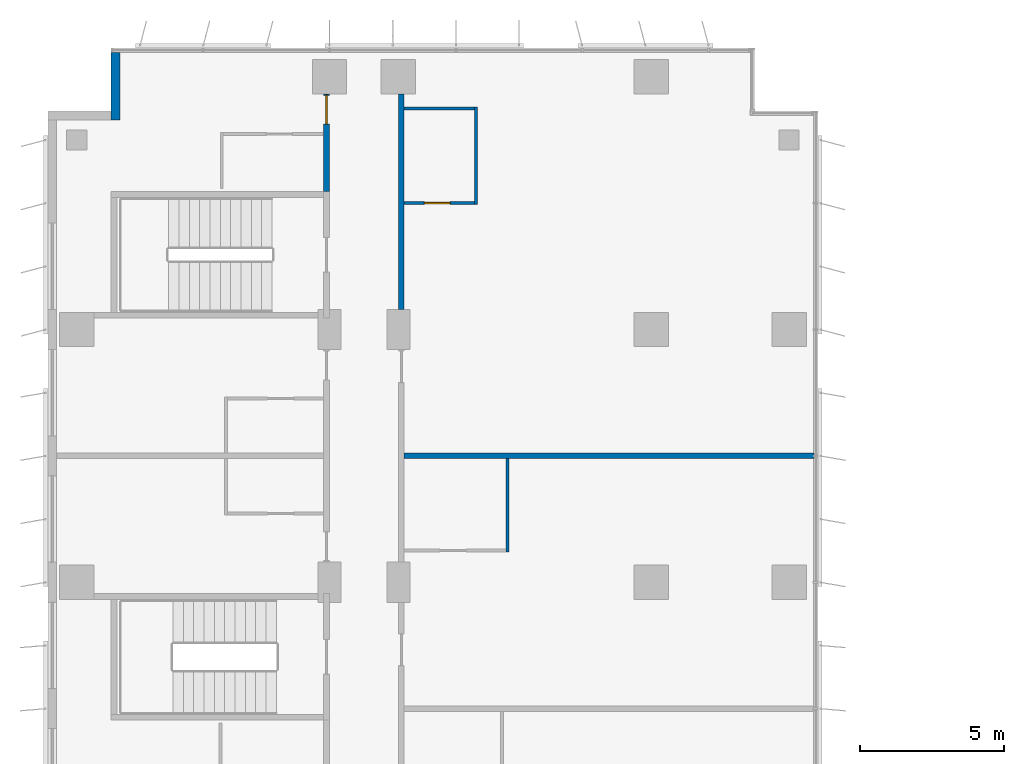
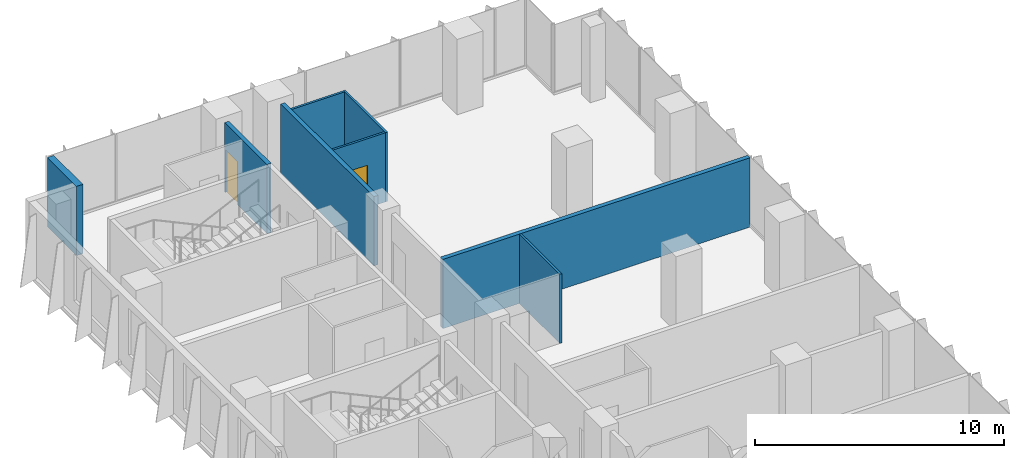
# One storey, part 18 of 23: 8 walls, 2 doors, 2 openings.
"""IFC4 building model written with IfcOpenShell, lengths in metres."""

import ifcopenshell
import ifcopenshell.guid

model = None  # the IFC model being written
_history = None  # IfcOwnerHistory: only IFC2X3 demands one
_inside = {}  # id of a spatial element -> (the spatial element, [elements in it])
_under = {}  # id of a project, library or spatial element -> (it, [spatial elements below it])
_declared = {}  # id of a project -> (the project, [libraries it declares])
_typed = {}  # id of a type object -> (the type object, [elements of that type])
_made_of = {}  # id of a material, layer set ... -> (it, [elements and type objects made of it])


def new_model(schema):
    """Start an empty IFC model of exactly this schema.

    Asked for "IFC4X3", IfcOpenShell would pick the latest addendum, in which some entities
    have other attributes; the version numbers below select the first issue.
    IFC2X3 requires an IfcOwnerHistory on every rooted entity: one is made here for all.
    """
    global model, _history
    if schema == "IFC4X3":
        model = ifcopenshell.file(schema_version=(4, 3, 0, 0))
    else:
        model = ifcopenshell.file(schema=schema)
    _inside.clear()
    _under.clear()
    _declared.clear()
    _typed.clear()
    _made_of.clear()
    _history = None
    if model.schema == "IFC2X3":
        org = make("IfcOrganization", Name="unknown")
        user = make(
            "IfcPersonAndOrganization",
            ThePerson=make("IfcPerson", FamilyName="unknown"),
            TheOrganization=org,
        )
        app = make(
            "IfcApplication",
            ApplicationDeveloper=org,
            Version="unknown",
            ApplicationFullName="unknown",
            ApplicationIdentifier="unknown",
        )
        _history = make(
            "IfcOwnerHistory",
            OwningUser=user,
            OwningApplication=app,
            ChangeAction="ADDED",
            CreationDate=0,
        )
    return model


def make(cls, **values):
    """One entity of the class cls with the attributes given. An attribute that is None is left unset."""
    return model.create_entity(
        cls, **{name: value for name, value in values.items() if value is not None}
    )


def rooted(cls, **values):
    """An entity with a GlobalId (a new one), such as an element, a storey or a relation."""
    return make(cls, GlobalId=ifcopenshell.guid.new(), OwnerHistory=_history, **values)


def si_unit(unit_type, name, prefix=None):
    """IfcSIUnit, for example si_unit("LENGTHUNIT", "METRE", prefix="MILLI")."""
    return make("IfcSIUnit", UnitType=unit_type, Prefix=prefix, Name=name)


def assignment(units):
    """IfcUnitAssignment: the units of a project."""
    return None if units is None else make("IfcUnitAssignment", Units=units)


def point(xyz):
    """IfcCartesianPoint."""
    return None if xyz is None else make("IfcCartesianPoint", Coordinates=xyz)


def direction(xyz):
    """IfcDirection."""
    return None if xyz is None else make("IfcDirection", DirectionRatios=xyz)


def frame(location, z_axis=None, x_axis=None):
    """IfcAxis2Placement3D, a coordinate frame: its origin and axes. An axis left out is left unset."""
    return make(
        "IfcAxis2Placement3D",
        Location=point(location),
        Axis=direction(z_axis),
        RefDirection=direction(x_axis),
    )


def frame_2d(location, x_axis=None):
    """IfcAxis2Placement2D, a coordinate frame in the plane: its origin and x axis."""
    return make(
        "IfcAxis2Placement2D", Location=point(location), RefDirection=direction(x_axis)
    )


def origin():
    """The frame at (0, 0, 0) with its axes left unset."""
    return frame((0.0, 0.0, 0.0))


def place(relative_to, where):
    """IfcLocalPlacement: puts the frame where relative to a parent placement (None: the world)."""
    return make(
        "IfcLocalPlacement", PlacementRelTo=relative_to, RelativePlacement=where
    )


def context(
    kind, dimensions, precision=None, world=None, true_north=None, identifier=None
):
    """IfcGeometricRepresentationContext, for example the 3D "Model" context."""
    return make(
        "IfcGeometricRepresentationContext",
        ContextIdentifier=identifier,
        ContextType=kind,
        CoordinateSpaceDimension=dimensions,
        Precision=precision,
        WorldCoordinateSystem=world,
        TrueNorth=true_north,
    )


def subcontext(parent, identifier, kind, view, scale=None):
    """IfcGeometricRepresentationSubContext, for example "Body" below "Model"."""
    return make(
        "IfcGeometricRepresentationSubContext",
        ContextIdentifier=identifier,
        ContextType=kind,
        ParentContext=parent,
        TargetScale=scale,
        TargetView=view,
    )


def project(units=None, contexts=None):
    """IfcProject with its units and contexts."""
    return rooted(
        "IfcProject",
        Name="project",
        RepresentationContexts=contexts,
        UnitsInContext=assignment(units),
    )


def spatial(cls, under=None, at=None, **own):
    """A site, building, storey or space (cls), placed at a placement, below another one or the project."""
    s = rooted(cls, ObjectPlacement=at, **own)
    if under is not None:
        _under.setdefault(under.id(), (under, []))[1].append(s)
    return s


def profile(cls, at=None, kind="AREA", **sizes):
    """A parametric profile (cls). Its sizes go by their IFC names, for example OverallWidth=200.0."""
    return make(cls, ProfileType=kind, Position=at, **sizes)


def rectangle(**sizes):
    """IfcRectangleProfileDef."""
    return profile("IfcRectangleProfileDef", **sizes)


def extrude(swept, where, along, depth):
    """IfcExtrudedAreaSolid: the profile swept, set in the frame where, extruded along a direction by depth."""
    return make(
        "IfcExtrudedAreaSolid",
        SweptArea=swept,
        Position=where,
        ExtrudedDirection=direction(along),
        Depth=depth,
    )


def shape(context_of_items, identifier, shape_type, items):
    """IfcShapeRepresentation: the items that make up one representation, for example the "Body"."""
    return make(
        "IfcShapeRepresentation",
        ContextOfItems=context_of_items,
        RepresentationIdentifier=identifier,
        RepresentationType=shape_type,
        Items=items,
    )


def material(Name=None, Category=None):
    """IfcMaterial."""
    return make("IfcMaterial", Name=Name, Category=Category)


def layer(
    of_material, thickness, ventilated=None, Name=None, Category=None, Priority=None
):
    """IfcMaterialLayer: one layer of a wall or slab, of a material (None: an air gap)."""
    return make(
        "IfcMaterialLayer",
        Material=of_material,
        LayerThickness=thickness,
        IsVentilated=ventilated,
        Name=Name,
        Category=Category,
        Priority=Priority,
    )


def layer_set(layers, Name=None):
    """IfcMaterialLayerSet."""
    return make("IfcMaterialLayerSet", MaterialLayers=layers, LayerSetName=Name)


def made_of(thing, what):
    """Note that an element or type object is made of a material, layer set ...; save() writes the relation."""
    if what is not None:
        _made_of.setdefault(what.id(), (what, []))[1].append(thing)
    return thing


def type_object(cls, material=None, **own):
    """A type object (cls), such as IfcWallType, which elements share."""
    return made_of(rooted(cls, **own), material)


def element(
    cls,
    number,
    at=None,
    inside=None,
    cuts=None,
    type_object=None,
    material=None,
    context=None,
    identifier="Body",
    shape_type=None,
    held_by="IfcProductDefinitionShape",
    body=None,
    shapes=None,
    **own,
):
    """One element of the class cls, such as IfcWall. Its Tag is "e" and its number.

    at: its placement. inside: the storey or other place that contains it. cuts: it is an
    opening in that element (IfcRelVoidsElement). A single representation is given by context,
    identifier, shape_type and body (its items); several are given by shapes. held_by: the class
    of the entity that holds the representations. save() writes the other relations.
    """
    e = rooted(cls, Tag="e%d" % number, ObjectPlacement=at, **own)
    if body is not None:
        shapes = [shape(context, identifier, shape_type, body)]
    if shapes is not None:
        e.Representation = make(held_by, Representations=shapes)
    if inside is not None:
        _inside.setdefault(inside.id(), (inside, []))[1].append(e)
    if cuts is not None:
        rooted(
            "IfcRelVoidsElement", RelatingBuildingElement=cuts, RelatedOpeningElement=e
        )
    if type_object is not None:
        _typed.setdefault(type_object.id(), (type_object, []))[1].append(e)
    return made_of(e, material)


def fill(opening, filler):
    """IfcRelFillsElement: the door or window that sits in an opening."""
    return rooted(
        "IfcRelFillsElement",
        RelatingOpeningElement=opening,
        RelatedBuildingElement=filler,
    )


def aggregate(whole, parts):
    """IfcRelAggregates: a whole, such as a stair, and the parts it consists of."""
    return rooted("IfcRelAggregates", RelatingObject=whole, RelatedObjects=parts)


def save(model, path):
    """Write the relations noted so far, then the file.

    IfcRelAggregates (storeys below a building ...), IfcRelContainedInSpatialStructure (elements
    in a storey), IfcRelDefinesByType, IfcRelAssociatesMaterial and IfcRelDeclares: one each for
    every whole, place, type object, material and project.
    """
    for whole, parts in _under.values():
        aggregate(whole, parts)
    for where, things in _inside.values():
        rooted(
            "IfcRelContainedInSpatialStructure",
            RelatedElements=things,
            RelatingStructure=where,
        )
    for kind, things in _typed.values():
        rooted("IfcRelDefinesByType", RelatedObjects=things, RelatingType=kind)
    for what, things in _made_of.values():
        rooted("IfcRelAssociatesMaterial", RelatedObjects=things, RelatingMaterial=what)
    for by, libraries in _declared.values():
        rooted("IfcRelDeclares", RelatingContext=by, RelatedDefinitions=libraries)
    model.write(path)


model = new_model("IFC4")

# Units and contexts
model_context = context("Model", 3, precision=1e-05, world=origin(), true_north=direction((0.0, 1.0)))
body_context = subcontext(model_context, "Body", "Model", "MODEL_VIEW")
ifc_project = project(units=[si_unit("LENGTHUNIT", "METRE"), si_unit("AREAUNIT", "SQUARE_METRE"), si_unit("VOLUMEUNIT", "CUBIC_METRE"), si_unit("PLANEANGLEUNIT", "RADIAN"), si_unit("MASSUNIT", "GRAM", prefix="KILO")], contexts=[model_context])

# Site, building, storey
site_placement = place(None, origin())
site = spatial("IfcSite", under=ifc_project, at=site_placement, CompositionType="ELEMENT")
building_placement = place(site_placement, origin())
building = spatial("IfcBuilding", under=site, at=building_placement, Name="Kemantara Hotel Tower", CompositionType="ELEMENT")
storey_placement = place(building_placement, frame((0.0, 0.0, 138.300048828125)))
storey = spatial("IfcBuildingStorey", under=building, at=storey_placement, Name="L33", CompositionType="ELEMENT", Elevation=138.300048828125)

# Wall
ifc_material_1 = material(Name="Bronze anodised aluminium cladding on insulated steel stud wall", Category="steel")
ifc_layer_1 = layer(ifc_material_1, 0.300048828125)
ifc_layer_set_1 = layer_set([ifc_layer_1], Name="Bronze anodised aluminium cladding on insulated steel stud wall")
wall_type_1 = type_object("IfcWallType", Name="BRONZE METAL-CLAD EXTERNAL WALL 300", PredefinedType="STANDARD", material=ifc_layer_set_1)
wall_1_placement = place(storey_placement, frame((2.35009765625, 81.050048828125, 0.0), z_axis=(0.0, 0.0, 1.0), x_axis=(0.0, -1.0, 0.0)))
element("IfcWall", 1, at=wall_1_placement, inside=storey, type_object=wall_type_1, Name="EXTERNAL WALL L33 T2-R02", PredefinedType="STANDARD", context=body_context, shape_type="SweptSolid", body=[
    extrude(rectangle(XDim=2.35009765625, YDim=0.300048828125, at=frame_2d((1.175048828125, 0.0))), origin(), (0.0, 0.0, 1.0), 3.39990234375),
])

# Wall, opening, door
ifc_material_2 = material(Name="Gypsum board partition, steel studs and mineral wool, 200 mm", Category="steel")
ifc_layer_2 = layer(ifc_material_2, 0.199951171875)
ifc_layer_set_2 = layer_set([ifc_layer_2], Name="Gypsum board partition, steel studs and mineral wool, 200 mm")
wall_type_2 = type_object("IfcWallType", Name="CORRIDOR WALL 200", PredefinedType="PARTITIONING", material=ifc_layer_set_2)
wall_2_placement = place(storey_placement, frame((9.699951171875, 76.199951171875, 0.0), z_axis=(0.0, 0.0, 1.0), x_axis=(0.0, 1.0, 0.0)))
wall_2 = element("IfcWall", 2, at=wall_2_placement, inside=storey, type_object=wall_type_2, Name="CORRIDOR WALL 200 025", PredefinedType="PARTITIONING", context=body_context, shape_type="SweptSolid", body=[
    extrude(rectangle(XDim=3.39990234375, YDim=0.199951171875, at=frame_2d((1.699951171875, 0.0))), origin(), (0.0, 0.0, 1.0), 3.39990234375),
])
opening_1_placement = place(wall_2_placement, frame((2.35009765625, 0.0, 0.0)))
opening_1 = element("IfcOpeningElement", 3, at=opening_1_placement, cuts=wall_2, Name="Opening F15-039", PredefinedType="OPENING", context=body_context, shape_type="SweptSolid", body=[
    extrude(rectangle(XDim=1.0, YDim=2.10009765625, at=frame_2d((0.5, 1.050048828125))), frame((0.0, 0.10986328125, 0.0), z_axis=(0.0, -1.0, 0.0), x_axis=(1.0, 0.0, 0.0)), (0.0, 0.0, 1.0), 0.219970703125),
])
ifc_material_3 = material(Name="Hardwood veneer door leaf with steel frame", Category="steel")
door_type_1 = type_object("IfcDoorType", Name="GUEST ROOM DOOR 1000 X 2100 FD30S", OperationType="NOTDEFINED", PredefinedType="DOOR", material=ifc_material_3)
door_1_placement = place(opening_1_placement, origin())
door_1 = element("IfcDoor", 4, at=door_1_placement, inside=storey, type_object=door_type_1, Name="GUEST ROOM DOOR F15-039", OperationType="SINGLE_SWING_RIGHT", OverallHeight=2.10009765625, OverallWidth=1.0, PredefinedType="DOOR", context=body_context, shape_type="SweptSolid", body=[
    extrude(rectangle(XDim=1.0, YDim=2.10009765625, at=frame_2d((0.5, 1.050048828125))), frame((0.0, 0.02490234375, 0.0), z_axis=(0.0, -1.0, 0.0), x_axis=(1.0, 0.0, 0.0)), (0.0, 0.0, 1.0), 0.050048828125),
])
fill(opening_1, door_1)

# Walls
wall_3_placement = place(storey_placement, frame((12.300048828125, 72.10009765625, 0.0), z_axis=(0.0, 0.0, 1.0), x_axis=(0.0, 1.0, 0.0)))
element("IfcWall", 5, at=wall_3_placement, inside=storey, type_object=wall_type_2, Name="CORRIDOR WALL 200 045", PredefinedType="PARTITIONING", context=body_context, shape_type="SweptSolid", body=[
    extrude(rectangle(XDim=7.499755859375, YDim=0.199951171875, at=frame_2d((3.75, 0.0))), origin(), (0.0, 0.0, 1.0), 3.39990234375),
])
ifc_layer_3 = layer(ifc_material_2, 0.199951171875)
ifc_layer_set_3 = layer_set([ifc_layer_3], Name="Gypsum board partition, steel studs and mineral wool, 200 mm")
wall_type_3 = type_object("IfcWallType", Name="GUEST ROOM PARTY WALL 200", PredefinedType="PARTITIONING", material=ifc_layer_set_3)
wall_4_placement = place(storey_placement, frame((12.39990234375, 67.0, 0.0), z_axis=(0.0, 0.0, 1.0), x_axis=(1.0, 0.0, 0.0)))
element("IfcWall", 6, at=wall_4_placement, inside=storey, type_object=wall_type_3, Name="GUEST ROOM PARTY WALL 200 038", PredefinedType="PARTITIONING", context=body_context, shape_type="SweptSolid", body=[
    extrude(rectangle(XDim=14.27001953125, YDim=0.199951171875, at=frame_2d((7.135009765625, 0.0))), origin(), (0.0, 0.0, 1.0), 3.39990234375),
])
ifc_material_4 = material(Name="Gypsum board partition on steel studs, 100 mm", Category="steel")
ifc_layer_4 = layer(ifc_material_4, 0.10009765625)
ifc_layer_set_4 = layer_set([ifc_layer_4], Name="Gypsum board partition on steel studs, 100 mm")
wall_type_4 = type_object("IfcWallType", Name="ROOM PARTITION 100", PredefinedType="PARTITIONING", material=ifc_layer_set_4)
wall_5_placement = place(storey_placement, frame((16.0, 63.64990234375, 0.0), z_axis=(0.0, 0.0, 1.0), x_axis=(0.0, 1.0, 0.0)))
element("IfcWall", 7, at=wall_5_placement, inside=storey, type_object=wall_type_4, Name="ROOM PARTITION 100 097", PredefinedType="PARTITIONING", context=body_context, shape_type="SweptSolid", body=[
    extrude(rectangle(XDim=3.25, YDim=0.10009765625, at=frame_2d((1.625, 0.0))), origin(), (0.0, 0.0, 1.0), 3.39990234375),
])
wall_6_placement = place(storey_placement, frame((14.89990234375, 75.75, 0.0), z_axis=(0.0, 0.0, 1.0), x_axis=(0.0, 1.0, 0.0)))
element("IfcWall", 8, at=wall_6_placement, inside=storey, type_object=wall_type_4, Name="ROOM PARTITION 100 106", PredefinedType="PARTITIONING", context=body_context, shape_type="SweptSolid", body=[
    extrude(rectangle(XDim=3.39990234375, YDim=0.10009765625, at=frame_2d((1.699951171875, 0.0))), origin(), (0.0, 0.0, 1.0), 3.39990234375),
])

# Wall, opening, door
wall_7_placement = place(storey_placement, frame((12.39990234375, 75.800048828125, 0.0), z_axis=(0.0, 0.0, 1.0), x_axis=(1.0, 0.0, 0.0)))
wall_7 = element("IfcWall", 9, at=wall_7_placement, inside=storey, type_object=wall_type_4, Name="ROOM PARTITION 100 107", PredefinedType="PARTITIONING", context=body_context, shape_type="SweptSolid", body=[
    extrude(rectangle(XDim=2.4501953125, YDim=0.10009765625, at=frame_2d((1.22509765625, 0.0))), origin(), (0.0, 0.0, 1.0), 3.39990234375),
])
opening_2_placement = place(wall_7_placement, frame((0.699951171875, 0.0, 0.0)))
opening_2 = element("IfcOpeningElement", 10, at=opening_2_placement, cuts=wall_7, Name="Opening F15-056", PredefinedType="OPENING", context=body_context, shape_type="SweptSolid", body=[
    extrude(rectangle(XDim=0.89990234375, YDim=2.10009765625, at=frame_2d((0.449951171875, 1.050048828125))), frame((0.0, 0.06005859375, 0.0), z_axis=(0.0, -1.0, 0.0), x_axis=(1.0, 0.0, 0.0)), (0.0, 0.0, 1.0), 0.1201171875),
])
door_type_2 = type_object("IfcDoorType", Name="BATHROOM DOOR 900 X 2100", OperationType="NOTDEFINED", PredefinedType="DOOR", material=ifc_material_3)
door_2_placement = place(opening_2_placement, origin())
door_2 = element("IfcDoor", 11, at=door_2_placement, inside=storey, type_object=door_type_2, Name="BATHROOM DOOR F15-056", OperationType="SINGLE_SWING_LEFT", OverallHeight=2.10009765625, OverallWidth=0.89990234375, PredefinedType="DOOR", context=body_context, shape_type="SweptSolid", body=[
    extrude(rectangle(XDim=0.89990234375, YDim=2.10009765625, at=frame_2d((0.449951171875, 1.050048828125))), frame((0.0, 0.02490234375, 0.0), z_axis=(0.0, -1.0, 0.0), x_axis=(1.0, 0.0, 0.0)), (0.0, 0.0, 1.0), 0.050048828125),
])
fill(opening_2, door_2)

# Wall
wall_8_placement = place(storey_placement, frame((12.39990234375, 79.10009765625, 0.0), z_axis=(0.0, 0.0, 1.0), x_axis=(1.0, 0.0, 0.0)))
element("IfcWall", 12, at=wall_8_placement, inside=storey, type_object=wall_type_4, Name="ROOM PARTITION 100 108", PredefinedType="PARTITIONING", context=body_context, shape_type="SweptSolid", body=[
    extrude(rectangle(XDim=2.4501953125, YDim=0.10009765625, at=frame_2d((1.22509765625, 0.0))), origin(), (0.0, 0.0, 1.0), 3.39990234375),
])

save(model, "model.ifc")
